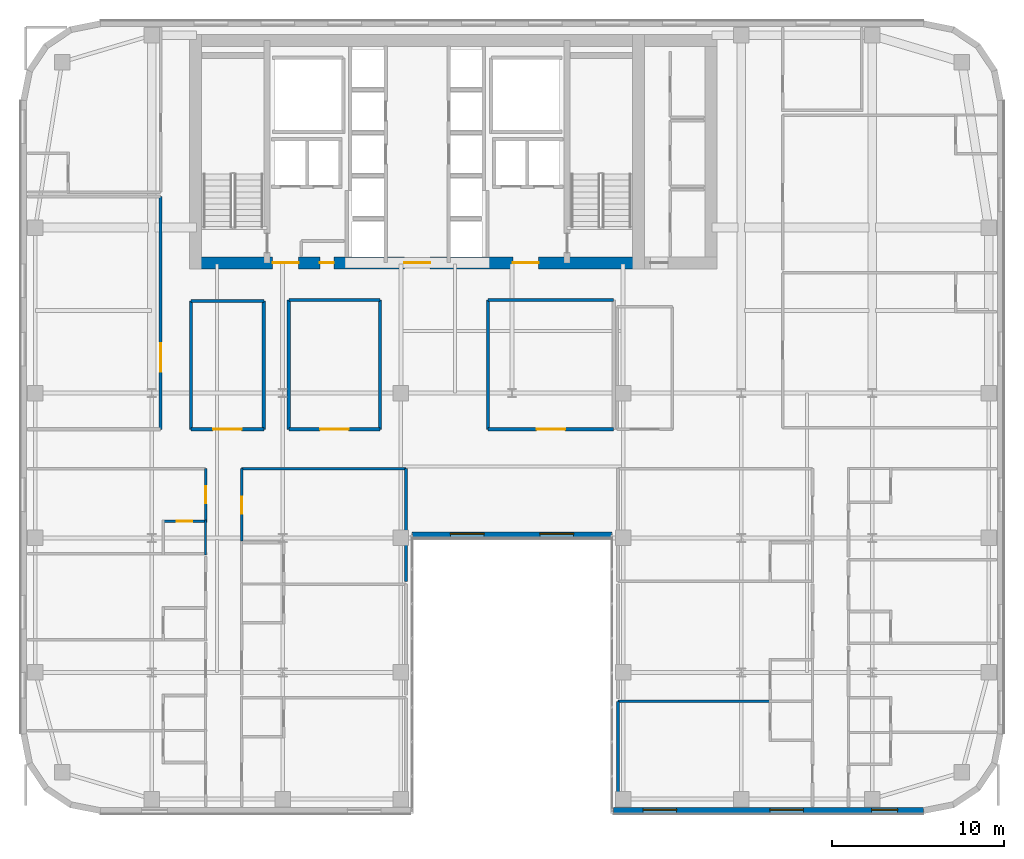
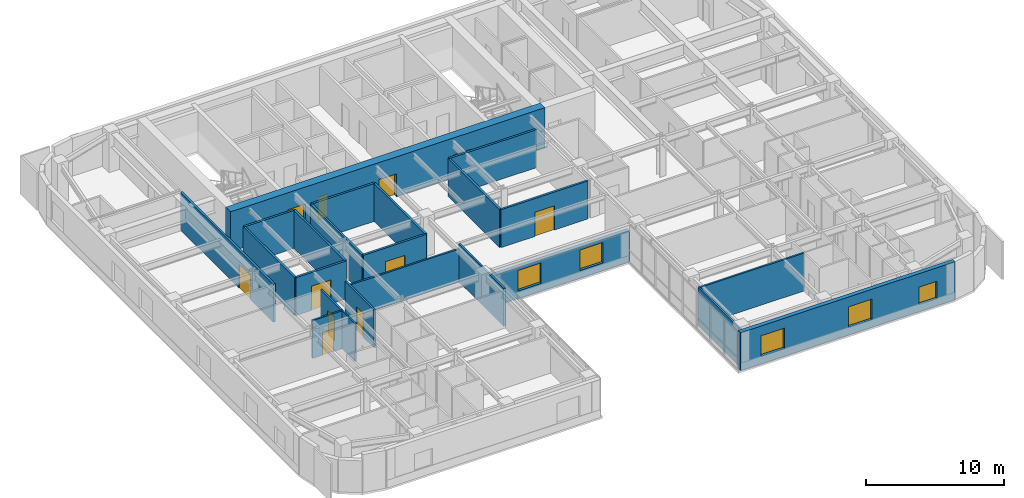
# One storey, part 15 of 25: 23 walls, 11 doors, 5 windows, 16 openings.
"""IFC4 building model written with IfcOpenShell, lengths in metres."""

from ifc_helpers import new_model, si_unit, direction, frame, frame_2d, origin, place, context, subcontext, project, spatial, rectangle, extrude, source, transform, mapped, material, layer, layer_set, type_object, type_shapes, element, fill, save


model = new_model("IFC4")

# Units and contexts
model_context = context("Model", 3, precision=1e-05, world=origin(), true_north=direction((0.0, 1.0)))
body_context = subcontext(model_context, "Body", "Model", "MODEL_VIEW")
ifc_project = project(units=[si_unit("LENGTHUNIT", "METRE"), si_unit("AREAUNIT", "SQUARE_METRE"), si_unit("VOLUMEUNIT", "CUBIC_METRE"), si_unit("PLANEANGLEUNIT", "RADIAN"), si_unit("MASSUNIT", "GRAM", prefix="KILO")], contexts=[model_context])

# Site, building, storey
site_placement = place(None, origin())
site = spatial("IfcSite", under=ifc_project, at=site_placement, CompositionType="ELEMENT")
building_placement = place(site_placement, origin())
building = spatial("IfcBuilding", under=site, at=building_placement, Name="Tolvann Quenvar Hotel", CompositionType="ELEMENT")
storey_placement = place(building_placement, frame((0.0, 0.0, 132.85009765625)))
storey = spatial("IfcBuildingStorey", under=building, at=storey_placement, Name="L34", CompositionType="ELEMENT", Elevation=132.85009765625)

# Wall, openings, doors
ifc_material_1 = material(Name="Concrete S65 (65 MPa)", Category="concrete")
ifc_layer_1 = layer(ifc_material_1, 0.699951171875)
ifc_layer_set_1 = layer_set([ifc_layer_1], Name="Concrete S65 (65 MPa)")
wall_type_1 = type_object("IfcWallType", Name="WALL_CORE_700", PredefinedType="SHEAR", material=ifc_layer_set_1)
wall_1_placement = place(storey_placement, frame((9.800048828125, 31.949951171875, 0.0), z_axis=(0.0, 0.0, 1.0), x_axis=(1.0, 0.0, 0.0)))
wall_1 = element("IfcWall", 1, at=wall_1_placement, inside=storey, type_object=wall_type_1, Name="Rear Core S Shear Wall (L34)", PredefinedType="SHEAR", context=body_context, shape_type="SweptSolid", body=[
    extrude(rectangle(XDim=26.39990234375, YDim=0.699951171875, at=frame_2d((13.199951171875, 0.0))), origin(), (0.0, 0.0, 1.0), 3.5498046875),
])
opening_1_placement = place(wall_1_placement, frame((6.320068359375, 0.0, 0.0), z_axis=(0.0, 0.0, 1.0), x_axis=(-1.0, 0.0, 0.0)))
opening_1 = element("IfcOpeningElement", 2, at=opening_1_placement, cuts=wall_1, Name="Opening FD-60D", PredefinedType="OPENING", context=body_context, shape_type="SweptSolid", body=[
    extrude(rectangle(XDim=1.5, YDim=2.0400390625, at=frame_2d((0.75, 1.02001953125))), frame((0.0, 0.35986328125, 0.0), z_axis=(0.0, -1.0, 0.0), x_axis=(1.0, 0.0, 0.0)), (0.0, 0.0, 1.0), 0.719970703125),
])
opening_2_placement = place(wall_1_placement, frame((13.949951171875, 0.0, 0.0), z_axis=(0.0, 0.0, 1.0), x_axis=(-1.0, 0.0, 0.0)))
opening_2 = element("IfcOpeningElement", 3, at=opening_2_placement, cuts=wall_1, Name="Opening FD-60D", PredefinedType="OPENING", context=body_context, shape_type="SweptSolid", body=[
    extrude(rectangle(XDim=1.5, YDim=2.0400390625, at=frame_2d((0.75, 1.02001953125))), frame((0.0, 0.35986328125, 0.0), z_axis=(0.0, -1.0, 0.0), x_axis=(1.0, 0.0, 0.0)), (0.0, 0.0, 1.0), 0.719970703125),
])
opening_3_placement = place(wall_1_placement, frame((20.25, 0.0, 0.0), z_axis=(0.0, 0.0, 1.0), x_axis=(-1.0, 0.0, 0.0)))
opening_3 = element("IfcOpeningElement", 4, at=opening_3_placement, cuts=wall_1, Name="Opening FD-60D", PredefinedType="OPENING", context=body_context, shape_type="SweptSolid", body=[
    extrude(rectangle(XDim=1.5, YDim=2.0400390625, at=frame_2d((0.75, 1.02001953125))), frame((0.0, 0.35986328125, 0.0), z_axis=(0.0, -1.0, 0.0), x_axis=(1.0, 0.0, 0.0)), (0.0, 0.0, 1.0), 0.719970703125),
])
opening_4_placement = place(wall_1_placement, frame((8.3701171875, 0.0, 0.0), z_axis=(0.0, 0.0, 1.0), x_axis=(-1.0, 0.0, 0.0)))
opening_4 = element("IfcOpeningElement", 5, at=opening_4_placement, cuts=wall_1, Name="Opening HD-02", PredefinedType="OPENING", context=body_context, shape_type="SweptSolid", body=[
    extrude(rectangle(XDim=0.820068359375, YDim=2.010009765625, at=frame_2d((0.41015625, 1.0048828125))), frame((0.0, 0.35986328125, 0.0), z_axis=(0.0, -1.0, 0.0), x_axis=(1.0, 0.0, 0.0)), (0.0, 0.0, 1.0), 0.719970703125),
])
ifc_material_2 = material(Name="Solid-core American oak acoustic fire door leaf in steel frame", Category="steel")
door_type_1 = type_object("IfcDoorType", Name="DOOR_FIRE_LOBBY_1500", OperationType="NOTDEFINED", PredefinedType="DOOR", material=ifc_material_2)
shared_shape_1 = source(origin(), body_context, "Body", "SweptSolid", [
    extrude(rectangle(XDim=1.5, YDim=2.0400390625, at=frame_2d((0.75, 1.02001953125))), frame((0.0, 0.02490234375, 0.0), z_axis=(0.0, -1.0, 0.0), x_axis=(1.0, 0.0, 0.0)), (0.0, 0.0, 1.0), 0.050048828125),
])
type_shapes(door_type_1, [shared_shape_1])
door_1_placement = place(opening_1_placement, origin())
door_1 = element("IfcDoor", 6, at=door_1_placement, inside=storey, type_object=door_type_1, Name="Core Lobby Fire Door FFW (L34)", OperationType="DOUBLE_DOOR_SINGLE_SWING", OverallHeight=2.0400390625, OverallWidth=1.5, PredefinedType="DOOR", context=body_context, shape_type="MappedRepresentation", body=[
    mapped(shared_shape_1, transform((0.0, 0.0, 0.0), x_axis=(1.0, 0.0, 0.0), y_axis=(0.0, 1.0, 0.0), z_axis=(0.0, 0.0, 1.0), scale=1.0)),
])
fill(opening_1, door_1)
door_2_placement = place(opening_2_placement, origin())
door_2 = element("IfcDoor", 7, at=door_2_placement, inside=storey, type_object=door_type_1, Name="Core Lobby Fire Door CLOB (L34)", OperationType="DOUBLE_DOOR_SINGLE_SWING", OverallHeight=2.0400390625, OverallWidth=1.5, PredefinedType="DOOR", context=body_context, shape_type="MappedRepresentation", body=[
    mapped(shared_shape_1, transform((0.0, 0.0, 0.0), x_axis=(1.0, 0.0, 0.0), y_axis=(0.0, 1.0, 0.0), z_axis=(0.0, 0.0, 1.0), scale=1.0)),
])
fill(opening_2, door_2)
door_3_placement = place(opening_3_placement, origin())
door_3 = element("IfcDoor", 8, at=door_3_placement, inside=storey, type_object=door_type_1, Name="Core Lobby Fire Door FFE (L34)", OperationType="DOUBLE_DOOR_SINGLE_SWING", OverallHeight=2.0400390625, OverallWidth=1.5, PredefinedType="DOOR", context=body_context, shape_type="MappedRepresentation", body=[
    mapped(shared_shape_1, transform((0.0, 0.0, 0.0), x_axis=(1.0, 0.0, 0.0), y_axis=(0.0, 1.0, 0.0), z_axis=(0.0, 0.0, 1.0), scale=1.0)),
])
fill(opening_3, door_3)
ifc_material_3 = material(Name="Pressed galvanised steel fire-rated door set", Category="steel")
door_type_2 = type_object("IfcDoorType", Name="DOOR_STORE_820", OperationType="NOTDEFINED", PredefinedType="DOOR", material=ifc_material_3)
shared_shape_2 = source(origin(), body_context, "Body", "SweptSolid", [
    extrude(rectangle(XDim=0.820068359375, YDim=2.010009765625, at=frame_2d((0.41015625, 1.0048828125))), frame((0.0, 0.02490234375, 0.0), z_axis=(0.0, -1.0, 0.0), x_axis=(1.0, 0.0, 0.0)), (0.0, 0.0, 1.0), 0.050048828125),
])
type_shapes(door_type_2, [shared_shape_2])
door_4_placement = place(opening_4_placement, origin())
door_4 = element("IfcDoor", 9, at=door_4_placement, inside=storey, type_object=door_type_2, Name="Core Linen Store Fire Door (L34)", OperationType="SINGLE_SWING_LEFT", OverallHeight=2.010009765625, OverallWidth=0.820068359375, PredefinedType="DOOR", context=body_context, shape_type="MappedRepresentation", body=[
    mapped(shared_shape_2, transform((0.0, 0.0, 0.0), x_axis=(1.0, 0.0, 0.0), y_axis=(0.0, 1.0, 0.0), z_axis=(0.0, 0.0, 1.0), scale=1.0)),
])
fill(opening_4, door_4)

# Wall, openings, windows
ifc_material_4 = material(Name="Kiln-fired red and buff architectural clay brickwork and terracotta masonry", Category="masonry")
ifc_layer_2 = layer(ifc_material_4, 0.35009765625)
ifc_layer_set_2 = layer_set([ifc_layer_2], Name="Kiln-fired red and buff architectural clay brickwork and terracotta masonry")
wall_type_2 = type_object("IfcWallType", Name="WALL_EXT_BRICK_350", PredefinedType="SOLIDWALL", material=ifc_layer_set_2)
wall_2_placement = place(storey_placement, frame((22.7099609375, 16.175048828125, 0.0), z_axis=(0.0, 0.0, 1.0), x_axis=(1.0, 0.0, 0.0)))
wall_2 = element("IfcWall", 10, at=wall_2_placement, inside=storey, type_object=wall_type_2, Name="Exterior Chicago Brick Wall L34-E06", PredefinedType="SOLIDWALL", context=body_context, shape_type="SweptSolid", body=[
    extrude(rectangle(XDim=11.580078125, YDim=0.35009765625, at=frame_2d((5.7900390625, 0.0))), origin(), (0.0, 0.0, 1.0), 2.747802734375),
])
opening_5_placement = place(wall_2_placement, frame((2.219970703125, 0.0, 0.679931640625)))
opening_5 = element("IfcOpeningElement", 11, at=opening_5_placement, cuts=wall_2, Name="Opening W-10", PredefinedType="OPENING", context=body_context, shape_type="SweptSolid", body=[
    extrude(rectangle(XDim=1.949951171875, YDim=1.820068359375, at=frame_2d((0.97509765625, 0.91015625))), frame((0.0, 0.18505859375, 0.0), z_axis=(0.0, -1.0, 0.0), x_axis=(1.0, 0.0, 0.0)), (0.0, 0.0, 1.0), 0.3701171875),
])
opening_6_placement = place(wall_2_placement, frame((7.409912109375, 0.0, 0.679931640625)))
opening_6 = element("IfcOpeningElement", 12, at=opening_6_placement, cuts=wall_2, Name="Opening W-10", PredefinedType="OPENING", context=body_context, shape_type="SweptSolid", body=[
    extrude(rectangle(XDim=1.949951171875, YDim=1.820068359375, at=frame_2d((0.97509765625, 0.91015625))), frame((0.0, 0.18505859375, 0.0), z_axis=(0.0, -1.0, 0.0), x_axis=(1.0, 0.0, 0.0)), (0.0, 0.0, 1.0), 0.3701171875),
])
ifc_material_5 = material(Name="Thermally broken bronze-anodised aluminium frame with double low-E glazing", Category="aluminium")
window_type_1 = type_object("IfcWindowType", Name="WIN_CLB_1950x1850", PartitioningType="DOUBLE_PANEL_VERTICAL", PredefinedType="WINDOW", material=ifc_material_5)
shared_shape_3 = source(origin(), body_context, "Body", "SweptSolid", [
    extrude(rectangle(XDim=1.949951171875, YDim=1.820068359375, at=frame_2d((0.97509765625, 0.91015625))), frame((0.0, 0.090087890625, 0.0), z_axis=(0.0, -1.0, 0.0), x_axis=(1.0, 0.0, 0.0)), (0.0, 0.0, 1.0), 0.06005859375),
])
type_shapes(window_type_1, [shared_shape_3])
window_1_placement = place(opening_5_placement, origin())
window_1 = element("IfcWindow", 13, at=window_1_placement, inside=storey, type_object=window_type_1, Name="Chicago Window W-10 (EW-L34-E06-W01)", OverallHeight=1.820068359375, OverallWidth=1.949951171875, PartitioningType="DOUBLE_PANEL_VERTICAL", PredefinedType="WINDOW", context=body_context, shape_type="MappedRepresentation", body=[
    mapped(shared_shape_3, transform((0.0, 0.0, 0.0), x_axis=(1.0, 0.0, 0.0), y_axis=(0.0, 1.0, 0.0), z_axis=(0.0, 0.0, 1.0), scale=1.0)),
])
fill(opening_5, window_1)
window_2_placement = place(opening_6_placement, origin())
window_2 = element("IfcWindow", 14, at=window_2_placement, inside=storey, type_object=window_type_1, Name="Chicago Window W-10 (EW-L34-E06-W02)", OverallHeight=1.820068359375, OverallWidth=1.949951171875, PartitioningType="DOUBLE_PANEL_VERTICAL", PredefinedType="WINDOW", context=body_context, shape_type="MappedRepresentation", body=[
    mapped(shared_shape_3, transform((0.0, 0.0, 0.0), x_axis=(1.0, 0.0, 0.0), y_axis=(0.0, 1.0, 0.0), z_axis=(0.0, 0.0, 1.0), scale=1.0)),
])
fill(opening_6, window_2)

wall_3_placement = place(storey_placement, frame((34.375, 0.175048828125, 0.0), z_axis=(0.0, 0.0, 1.0), x_axis=(1.0, 0.0, 0.0)))
wall_3 = element("IfcWall", 15, at=wall_3_placement, inside=storey, type_object=wall_type_2, Name="Exterior Chicago Brick Wall L34-E08", PredefinedType="SOLIDWALL", context=body_context, shape_type="SweptSolid", body=[
    extrude(rectangle(XDim=18.0078125, YDim=0.35009765625, at=frame_2d((9.00390625, 0.0))), origin(), (0.0, 0.0, 1.0), 3.369873046875),
])
opening_7_placement = place(wall_3_placement, frame((1.72607421875, 0.0, 0.679931640625)))
opening_7 = element("IfcOpeningElement", 16, at=opening_7_placement, cuts=wall_3, Name="Opening W-10", PredefinedType="OPENING", context=body_context, shape_type="SweptSolid", body=[
    extrude(rectangle(XDim=1.949951171875, YDim=1.820068359375, at=frame_2d((0.97509765625, 0.91015625))), frame((0.0, 0.18505859375, 0.0), z_axis=(0.0, -1.0, 0.0), x_axis=(1.0, 0.0, 0.0)), (0.0, 0.0, 1.0), 0.3701171875),
])
opening_8_placement = place(wall_3_placement, frame((9.080078125, 0.0, 0.679931640625)))
opening_8 = element("IfcOpeningElement", 17, at=opening_8_placement, cuts=wall_3, Name="Opening W-10", PredefinedType="OPENING", context=body_context, shape_type="SweptSolid", body=[
    extrude(rectangle(XDim=1.949951171875, YDim=1.820068359375, at=frame_2d((0.97509765625, 0.91015625))), frame((0.0, 0.18505859375, 0.0), z_axis=(0.0, -1.0, 0.0), x_axis=(1.0, 0.0, 0.0)), (0.0, 0.0, 1.0), 0.3701171875),
])
opening_9_placement = place(wall_3_placement, frame((14.990966796875, 0.0, 0.6201171875)))
opening_9 = element("IfcOpeningElement", 18, at=opening_9_placement, cuts=wall_3, Name="Opening W-08", PredefinedType="OPENING", context=body_context, shape_type="SweptSolid", body=[
    extrude(rectangle(XDim=1.5, YDim=1.550048828125, at=frame_2d((0.75, 0.77490234375))), frame((0.0, 0.18505859375, 0.0), z_axis=(0.0, -1.0, 0.0), x_axis=(1.0, 0.0, 0.0)), (0.0, 0.0, 1.0), 0.3701171875),
])
window_type_2 = type_object("IfcWindowType", Name="WIN_COR_1500x2050", PartitioningType="SINGLE_PANEL", PredefinedType="WINDOW", material=ifc_material_5)
shared_shape_4 = source(origin(), body_context, "Body", "SweptSolid", [
    extrude(rectangle(XDim=1.5, YDim=1.550048828125, at=frame_2d((0.75, 0.77490234375))), frame((0.0, 0.090087890625, 0.0), z_axis=(0.0, -1.0, 0.0), x_axis=(1.0, 0.0, 0.0)), (0.0, 0.0, 1.0), 0.06005859375),
])
type_shapes(window_type_2, [shared_shape_4])
window_3_placement = place(opening_9_placement, origin())
window_3 = element("IfcWindow", 19, at=window_3_placement, inside=storey, type_object=window_type_2, Name="Chicago Window W-08 (EW-L34-E08-WD03)", OverallHeight=1.550048828125, OverallWidth=1.5, PartitioningType="SINGLE_PANEL", PredefinedType="WINDOW", context=body_context, shape_type="MappedRepresentation", body=[
    mapped(shared_shape_4, transform((0.0, 0.0, 0.0), x_axis=(1.0, 0.0, 0.0), y_axis=(0.0, 1.0, 0.0), z_axis=(0.0, 0.0, 1.0), scale=1.0)),
])
fill(opening_9, window_3)
window_4_placement = place(opening_7_placement, origin())
window_4 = element("IfcWindow", 20, at=window_4_placement, inside=storey, type_object=window_type_1, Name="Chicago Window W-10 (EW-L34-E08-W01)", OverallHeight=1.820068359375, OverallWidth=1.949951171875, PartitioningType="DOUBLE_PANEL_VERTICAL", PredefinedType="WINDOW", context=body_context, shape_type="MappedRepresentation", body=[
    mapped(shared_shape_3, transform((0.0, 0.0, 0.0), x_axis=(1.0, 0.0, 0.0), y_axis=(0.0, 1.0, 0.0), z_axis=(0.0, 0.0, 1.0), scale=1.0)),
])
fill(opening_7, window_4)
window_5_placement = place(opening_8_placement, origin())
window_5 = element("IfcWindow", 21, at=window_5_placement, inside=storey, type_object=window_type_1, Name="Chicago Window W-10 (EW-L34-E08-W02)", OverallHeight=1.820068359375, OverallWidth=1.949951171875, PartitioningType="DOUBLE_PANEL_VERTICAL", PredefinedType="WINDOW", context=body_context, shape_type="MappedRepresentation", body=[
    mapped(shared_shape_3, transform((0.0, 0.0, 0.0), x_axis=(1.0, 0.0, 0.0), y_axis=(0.0, 1.0, 0.0), z_axis=(0.0, 0.0, 1.0), scale=1.0)),
])
fill(opening_8, window_5)

# Wall, opening, door
ifc_material_6 = material(Name="Acoustic twin-stud fire-rated gypsum plasterboard partition")
ifc_layer_3 = layer(ifc_material_6, 0.179931640625)
ifc_layer_set_3 = layer_set([ifc_layer_3], Name="Acoustic twin-stud fire-rated gypsum plasterboard partition")
wall_type_3 = type_object("IfcWallType", Name="WALL_PART_ACOUSTIC_180", PredefinedType="PARTITIONING", material=ifc_layer_set_3)
wall_4_placement = place(storey_placement, frame((8.1201171875, 22.300048828125, 0.0), z_axis=(0.0, 0.0, 1.0), x_axis=(0.0, 1.0, 0.0)))
wall_4 = element("IfcWall", 22, at=wall_4_placement, inside=storey, type_object=wall_type_3, Name="Interior Partition PT-SPC-L34-SAL-ENT", PredefinedType="PARTITIONING", context=body_context, shape_type="SweptSolid", body=[
    extrude(rectangle(XDim=13.5, YDim=0.179931640625, at=frame_2d((6.75, 0.0))), origin(), (0.0, 0.0, 1.0), 3.369873046875),
])
opening_10_placement = place(wall_4_placement, frame((3.35009765625, 0.0, 0.0)))
opening_10 = element("IfcOpeningElement", 23, at=opening_10_placement, cuts=wall_4, Name="Opening AD-01", PredefinedType="OPENING", context=body_context, shape_type="SweptSolid", body=[
    extrude(rectangle(XDim=1.64990234375, YDim=2.14990234375, at=frame_2d((0.824951171875, 1.074951171875))), frame((0.0, 0.10009765625, 0.0), z_axis=(0.0, -1.0, 0.0), x_axis=(1.0, 0.0, 0.0)), (0.0, 0.0, 1.0), 0.199951171875),
])
door_type_3 = type_object("IfcDoorType", Name="DOOR_SALON_1650", OperationType="NOTDEFINED", PredefinedType="DOOR", material=ifc_material_2)
shared_shape_5 = source(origin(), body_context, "Body", "SweptSolid", [
    extrude(rectangle(XDim=1.64990234375, YDim=2.14990234375, at=frame_2d((0.824951171875, 1.074951171875))), frame((0.0, 0.02490234375, 0.0), z_axis=(0.0, -1.0, 0.0), x_axis=(1.0, 0.0, 0.0)), (0.0, 0.0, 1.0), 0.050048828125),
])
type_shapes(door_type_3, [shared_shape_5])
door_5_placement = place(opening_10_placement, origin())
door_5 = element("IfcDoor", 24, at=door_5_placement, inside=storey, type_object=door_type_3, Name="Interior Door DOOR-SPC-L34-SAL", OperationType="DOUBLE_DOOR_SINGLE_SWING", OverallHeight=2.14990234375, OverallWidth=1.64990234375, PredefinedType="DOOR", context=body_context, shape_type="MappedRepresentation", body=[
    mapped(shared_shape_5, transform((0.0, 0.0, 0.0), x_axis=(1.0, 0.0, 0.0), y_axis=(0.0, 1.0, 0.0), z_axis=(0.0, 0.0, 1.0), scale=1.0)),
])
fill(opening_10, door_5)

wall_5_placement = place(storey_placement, frame((9.8798828125, 22.300048828125, 0.0), z_axis=(0.0, 0.0, 1.0), x_axis=(1.0, 0.0, 0.0)))
wall_5 = element("IfcWall", 25, at=wall_5_placement, inside=storey, type_object=wall_type_3, Name="Interior Partition PT-SPC-L34-MSP-W-S", PredefinedType="PARTITIONING", context=body_context, shape_type="SweptSolid", body=[
    extrude(rectangle(XDim=4.22021484375, YDim=0.179931640625, at=frame_2d((2.110107421875, 0.0))), origin(), (0.0, 0.0, 1.0), 3.369873046875),
])
opening_11_placement = place(wall_5_placement, frame((1.284912109375, 0.0, 0.0)))
opening_11 = element("IfcOpeningElement", 26, at=opening_11_placement, cuts=wall_5, Name="Opening AD-01", PredefinedType="OPENING", context=body_context, shape_type="SweptSolid", body=[
    extrude(rectangle(XDim=1.64990234375, YDim=2.14990234375, at=frame_2d((0.824951171875, 1.074951171875))), frame((0.0, 0.10009765625, 0.0), z_axis=(0.0, -1.0, 0.0), x_axis=(1.0, 0.0, 0.0)), (0.0, 0.0, 1.0), 0.199951171875),
])
door_6_placement = place(opening_11_placement, origin())
door_6 = element("IfcDoor", 27, at=door_6_placement, inside=storey, type_object=door_type_3, Name="Interior Door DOOR-SPC-L34-MSP-W", OperationType="DOUBLE_DOOR_SINGLE_SWING", OverallHeight=2.14990234375, OverallWidth=1.64990234375, PredefinedType="DOOR", context=body_context, shape_type="MappedRepresentation", body=[
    mapped(shared_shape_5, transform((0.0, 0.0, 0.0), x_axis=(1.0, 0.0, 0.0), y_axis=(0.0, 1.0, 0.0), z_axis=(0.0, 0.0, 1.0), scale=1.0)),
])
fill(opening_11, door_6)

# Walls
wall_6_placement = place(storey_placement, frame((9.8798828125, 29.75, 0.0), z_axis=(0.0, 0.0, 1.0), x_axis=(1.0, 0.0, 0.0)))
element("IfcWall", 28, at=wall_6_placement, inside=storey, type_object=wall_type_3, Name="Interior Partition PT-SPC-L34-MSP-W-N", PredefinedType="PARTITIONING", context=body_context, shape_type="SweptSolid", body=[
    extrude(rectangle(XDim=4.22021484375, YDim=0.179931640625, at=frame_2d((2.110107421875, 0.0))), origin(), (0.0, 0.0, 1.0), 3.369873046875),
])
for number, where, z_axis, x_axis, name in (
    (29, (9.8798828125, 22.300048828125, 0.0), (0.0, 0.0, 1.0), (0.0, 1.0, 0.0), "Interior Partition PT-SPC-L34-MSP-W-W"),
    (30, (14.10009765625, 22.300048828125, 0.0), (0.0, 0.0, 1.0), (0.0, 1.0, 0.0), "Interior Partition PT-SPC-L34-MSP-W-E"),
):
    element("IfcWall", number, at=place(storey_placement, frame(where, z_axis=z_axis, x_axis=x_axis)), inside=storey, type_object=wall_type_3, Name=name, PredefinedType="PARTITIONING", context=body_context, shape_type="SweptSolid", body=[
        extrude(rectangle(XDim=7.449951171875, YDim=0.179931640625, at=frame_2d((3.72509765625, 0.0))), origin(), (0.0, 0.0, 1.0), 3.369873046875),
    ])

# Wall, opening, door
wall_7_placement = place(storey_placement, frame((27.10009765625, 22.300048828125, 0.0), z_axis=(0.0, 0.0, 1.0), x_axis=(1.0, 0.0, 0.0)))
wall_7 = element("IfcWall", 31, at=wall_7_placement, inside=storey, type_object=wall_type_3, Name="Interior Partition PT-SPC-L34-MSP-C-S", PredefinedType="PARTITIONING", context=body_context, shape_type="SweptSolid", body=[
    extrude(rectangle(XDim=7.2998046875, YDim=0.179931640625, at=frame_2d((3.64990234375, 0.0))), origin(), (0.0, 0.0, 1.0), 3.369873046875),
])
opening_12_placement = place(wall_7_placement, frame((2.824951171875, 0.0, 0.0)))
opening_12 = element("IfcOpeningElement", 32, at=opening_12_placement, cuts=wall_7, Name="Opening AD-01", PredefinedType="OPENING", context=body_context, shape_type="SweptSolid", body=[
    extrude(rectangle(XDim=1.64990234375, YDim=2.14990234375, at=frame_2d((0.824951171875, 1.074951171875))), frame((0.0, 0.10009765625, 0.0), z_axis=(0.0, -1.0, 0.0), x_axis=(1.0, 0.0, 0.0)), (0.0, 0.0, 1.0), 0.199951171875),
])
door_7_placement = place(opening_12_placement, origin())
door_7 = element("IfcDoor", 33, at=door_7_placement, inside=storey, type_object=door_type_3, Name="Interior Door DOOR-SPC-L34-MSP-C", OperationType="DOUBLE_DOOR_SINGLE_SWING", OverallHeight=2.14990234375, OverallWidth=1.64990234375, PredefinedType="DOOR", context=body_context, shape_type="MappedRepresentation", body=[
    mapped(shared_shape_5, transform((0.0, 0.0, 0.0), x_axis=(1.0, 0.0, 0.0), y_axis=(0.0, 1.0, 0.0), z_axis=(0.0, 0.0, 1.0), scale=1.0)),
])
fill(opening_12, door_7)

# Walls
wall_8_placement = place(storey_placement, frame((27.10009765625, 29.800048828125, 0.0), z_axis=(0.0, 0.0, 1.0), x_axis=(1.0, 0.0, 0.0)))
element("IfcWall", 34, at=wall_8_placement, inside=storey, type_object=wall_type_3, Name="Interior Partition PT-SPC-L34-MSP-C-N", PredefinedType="PARTITIONING", context=body_context, shape_type="SweptSolid", body=[
    extrude(rectangle(XDim=7.2998046875, YDim=0.179931640625, at=frame_2d((3.64990234375, 0.0))), origin(), (0.0, 0.0, 1.0), 3.369873046875),
])
wall_9_placement = place(storey_placement, frame((27.10009765625, 22.300048828125, 0.0), z_axis=(0.0, 0.0, 1.0), x_axis=(0.0, 1.0, 0.0)))
element("IfcWall", 35, at=wall_9_placement, inside=storey, type_object=wall_type_3, Name="Interior Partition PT-SPC-L34-MSP-C-W", PredefinedType="PARTITIONING", context=body_context, shape_type="SweptSolid", body=[
    extrude(rectangle(XDim=7.5, YDim=0.179931640625, at=frame_2d((3.75, 0.0))), origin(), (0.0, 0.0, 1.0), 3.369873046875),
])

# Wall, opening, door
wall_10_placement = place(storey_placement, frame((15.550048828125, 22.300048828125, 0.0), z_axis=(0.0, 0.0, 1.0), x_axis=(1.0, 0.0, 0.0)))
wall_10 = element("IfcWall", 36, at=wall_10_placement, inside=storey, type_object=wall_type_3, Name="Interior Partition PT-SPC-L34-MSP-N-S", PredefinedType="PARTITIONING", context=body_context, shape_type="SweptSolid", body=[
    extrude(rectangle(XDim=5.300048828125, YDim=0.179931640625, at=frame_2d((2.64990234375, 0.0))), origin(), (0.0, 0.0, 1.0), 3.369873046875),
])
opening_13_placement = place(wall_10_placement, frame((1.824951171875, 0.0, 0.0)))
opening_13 = element("IfcOpeningElement", 37, at=opening_13_placement, cuts=wall_10, Name="Opening AD-01", PredefinedType="OPENING", context=body_context, shape_type="SweptSolid", body=[
    extrude(rectangle(XDim=1.64990234375, YDim=2.14990234375, at=frame_2d((0.824951171875, 1.074951171875))), frame((0.0, 0.10009765625, 0.0), z_axis=(0.0, -1.0, 0.0), x_axis=(1.0, 0.0, 0.0)), (0.0, 0.0, 1.0), 0.199951171875),
])
door_8_placement = place(opening_13_placement, origin())
door_8 = element("IfcDoor", 38, at=door_8_placement, inside=storey, type_object=door_type_3, Name="Interior Door DOOR-SPC-L34-MSP-N", OperationType="DOUBLE_DOOR_SINGLE_SWING", OverallHeight=2.14990234375, OverallWidth=1.64990234375, PredefinedType="DOOR", context=body_context, shape_type="MappedRepresentation", body=[
    mapped(shared_shape_5, transform((0.0, 0.0, 0.0), x_axis=(1.0, 0.0, 0.0), y_axis=(0.0, 1.0, 0.0), z_axis=(0.0, 0.0, 1.0), scale=1.0)),
])
fill(opening_13, door_8)

# Walls
wall_11_placement = place(storey_placement, frame((15.550048828125, 29.800048828125, 0.0), z_axis=(0.0, 0.0, 1.0), x_axis=(1.0, 0.0, 0.0)))
element("IfcWall", 39, at=wall_11_placement, inside=storey, type_object=wall_type_3, Name="Interior Partition PT-SPC-L34-MSP-N-N", PredefinedType="PARTITIONING", context=body_context, shape_type="SweptSolid", body=[
    extrude(rectangle(XDim=5.300048828125, YDim=0.179931640625, at=frame_2d((2.64990234375, 0.0))), origin(), (0.0, 0.0, 1.0), 3.369873046875),
])
for number, where, z_axis, x_axis, name in (
    (40, (15.550048828125, 22.300048828125, 0.0), (0.0, 0.0, 1.0), (0.0, 1.0, 0.0), "Interior Partition PT-SPC-L34-MSP-N-W"),
    (41, (20.85009765625, 22.300048828125, 0.0), (0.0, 0.0, 1.0), (0.0, 1.0, 0.0), "Interior Partition PT-SPC-L34-MSP-N-E"),
):
    element("IfcWall", number, at=place(storey_placement, frame(where, z_axis=z_axis, x_axis=x_axis)), inside=storey, type_object=wall_type_3, Name=name, PredefinedType="PARTITIONING", context=body_context, shape_type="SweptSolid", body=[
        extrude(rectangle(XDim=7.5, YDim=0.179931640625, at=frame_2d((3.75, 0.0))), origin(), (0.0, 0.0, 1.0), 3.369873046875),
    ])
ifc_material_7 = material(Name="Moisture-resistant acoustic plumbing wall assembly")
ifc_layer_4 = layer(ifc_material_7, 0.1201171875)
ifc_layer_set_4 = layer_set([ifc_layer_4], Name="Moisture-resistant acoustic plumbing wall assembly")
wall_type_4 = type_object("IfcWallType", Name="WALL_PART_BATH_120", PredefinedType="PLUMBINGWALL", material=ifc_layer_set_4)
wall_12_placement = place(storey_placement, frame((10.72998046875, 15.010009765625, 0.0), z_axis=(0.0, 0.0, 1.0), x_axis=(0.0, 1.0, 0.0)))
element("IfcWall", 42, at=wall_12_placement, inside=storey, type_object=wall_type_4, Name="Non-Rated Plumbing Partition PT-SPC-L34-ENS-WO04-E", PredefinedType="PLUMBINGWALL", context=body_context, shape_type="SweptSolid", body=[
    extrude(rectangle(XDim=2.01708984375, YDim=0.1201171875, at=frame_2d((1.008544921875, 0.0))), origin(), (0.0, 0.0, 1.0), 3.369873046875),
])

# Wall, opening, door
ifc_layer_5 = layer(ifc_material_6, 0.14990234375)
ifc_layer_set_5 = layer_set([ifc_layer_5], Name="Acoustic twin-stud fire-rated gypsum plasterboard partition")
wall_type_5 = type_object("IfcWallType", Name="WALL_PART_SUITE_150", PredefinedType="PARTITIONING", material=ifc_layer_set_5)
wall_13_placement = place(storey_placement, frame((8.2099609375, 16.95703125, 0.0), z_axis=(0.0, 0.0, 1.0), x_axis=(1.0, 0.0, 0.0)))
wall_13 = element("IfcWall", 43, at=wall_13_placement, inside=storey, type_object=wall_type_5, Name="Interior Partition PT-SPC-L34-ENS-WO04-N", PredefinedType="PARTITIONING", context=body_context, shape_type="SweptSolid", body=[
    extrude(rectangle(XDim=2.590087890625, YDim=0.14990234375, at=frame_2d((1.294921875, 0.0))), origin(), (0.0, 0.0, 1.0), 3.369873046875),
])
opening_14_placement = place(wall_13_placement, frame((0.8349609375, 0.0, 0.0)))
opening_14 = element("IfcOpeningElement", 44, at=opening_14_placement, cuts=wall_13, Name="Opening WD-01", PredefinedType="OPENING", context=body_context, shape_type="SweptSolid", body=[
    extrude(rectangle(XDim=0.919921875, YDim=2.010009765625, at=frame_2d((0.4599609375, 1.0048828125))), frame((0.0, 0.0849609375, 0.0), z_axis=(0.0, -1.0, 0.0), x_axis=(1.0, 0.0, 0.0)), (0.0, 0.0, 1.0), 0.169921875),
])
door_type_4 = type_object("IfcDoorType", Name="DOOR_WC_920", OperationType="NOTDEFINED", PredefinedType="DOOR", material=ifc_material_2)
shared_shape_6 = source(origin(), body_context, "Body", "SweptSolid", [
    extrude(rectangle(XDim=0.919921875, YDim=2.010009765625, at=frame_2d((0.4599609375, 1.0048828125))), frame((0.0, 0.02490234375, 0.0), z_axis=(0.0, -1.0, 0.0), x_axis=(1.0, 0.0, 0.0)), (0.0, 0.0, 1.0), 0.050048828125),
])
type_shapes(door_type_4, [shared_shape_6])
door_9_placement = place(opening_14_placement, origin())
door_9 = element("IfcDoor", 45, at=door_9_placement, inside=storey, type_object=door_type_4, Name="Interior Door DOOR-SPC-L34-ENS-WO04", OperationType="SINGLE_SWING_RIGHT", OverallHeight=2.010009765625, OverallWidth=0.919921875, PredefinedType="DOOR", context=body_context, shape_type="MappedRepresentation", body=[
    mapped(shared_shape_6, transform((0.0, 0.0, 0.0), x_axis=(1.0, 0.0, 0.0), y_axis=(0.0, 1.0, 0.0), z_axis=(0.0, 0.0, 1.0), scale=1.0)),
])
fill(opening_14, door_9)

wall_14_placement = place(storey_placement, frame((10.72998046875, 17.037109375, 0.0), z_axis=(0.0, 0.0, 1.0), x_axis=(0.0, 1.0, 0.0)))
wall_14 = element("IfcWall", 46, at=wall_14_placement, inside=storey, type_object=wall_type_5, Name="Interior Partition PT-SPC-L34-RM-WO04-ENT", PredefinedType="PARTITIONING", context=body_context, shape_type="SweptSolid", body=[
    extrude(rectangle(XDim=2.98291015625, YDim=0.14990234375, at=frame_2d((1.491455078125, 0.0))), origin(), (0.0, 0.0, 1.0), 3.369873046875),
])
opening_15_placement = place(wall_14_placement, frame((0.9814453125, 0.0, 0.0)))
opening_15 = element("IfcOpeningElement", 47, at=opening_15_placement, cuts=wall_14, Name="Opening SD-01", PredefinedType="OPENING", context=body_context, shape_type="SweptSolid", body=[
    extrude(rectangle(XDim=0.97998046875, YDim=2.1201171875, at=frame_2d((0.489990234375, 1.06005859375))), frame((0.0, 0.0849609375, 0.0), z_axis=(0.0, -1.0, 0.0), x_axis=(1.0, 0.0, 0.0)), (0.0, 0.0, 1.0), 0.169921875),
])
door_type_5 = type_object("IfcDoorType", Name="DOOR_SUITE_980", OperationType="NOTDEFINED", PredefinedType="DOOR", material=ifc_material_2)
shared_shape_7 = source(origin(), body_context, "Body", "SweptSolid", [
    extrude(rectangle(XDim=0.97998046875, YDim=2.1201171875, at=frame_2d((0.489990234375, 1.06005859375))), frame((0.0, 0.02490234375, 0.0), z_axis=(0.0, -1.0, 0.0), x_axis=(1.0, 0.0, 0.0)), (0.0, 0.0, 1.0), 0.050048828125),
])
type_shapes(door_type_5, [shared_shape_7])
door_10_placement = place(opening_15_placement, origin())
door_10 = element("IfcDoor", 48, at=door_10_placement, inside=storey, type_object=door_type_5, Name="Interior Door DOOR-SPC-L34-RM-WO04", OperationType="SINGLE_SWING_RIGHT", OverallHeight=2.1201171875, OverallWidth=0.97998046875, PredefinedType="DOOR", context=body_context, shape_type="MappedRepresentation", body=[
    mapped(shared_shape_7, transform((0.0, 0.0, 0.0), x_axis=(1.0, 0.0, 0.0), y_axis=(0.0, 1.0, 0.0), z_axis=(0.0, 0.0, 1.0), scale=1.0)),
])
fill(opening_15, door_10)

wall_15_placement = place(storey_placement, frame((12.820068359375, 15.81005859375, 0.0), z_axis=(0.0, 0.0, 1.0), x_axis=(0.0, 1.0, 0.0)))
wall_15 = element("IfcWall", 49, at=wall_15_placement, inside=storey, type_object=wall_type_5, Name="Interior Partition PT-SPC-L34-RM-WI03-ENT", PredefinedType="PARTITIONING", context=body_context, shape_type="SweptSolid", body=[
    extrude(rectangle(XDim=4.2099609375, YDim=0.14990234375, at=frame_2d((2.10498046875, 0.0))), origin(), (0.0, 0.0, 1.0), 3.369873046875),
])
opening_16_placement = place(wall_15_placement, frame((1.594970703125, 0.0, 0.0)))
opening_16 = element("IfcOpeningElement", 50, at=opening_16_placement, cuts=wall_15, Name="Opening SD-01", PredefinedType="OPENING", context=body_context, shape_type="SweptSolid", body=[
    extrude(rectangle(XDim=0.97998046875, YDim=2.1201171875, at=frame_2d((0.489990234375, 1.06005859375))), frame((0.0, 0.0849609375, 0.0), z_axis=(0.0, -1.0, 0.0), x_axis=(1.0, 0.0, 0.0)), (0.0, 0.0, 1.0), 0.169921875),
])
door_11_placement = place(opening_16_placement, origin())
door_11 = element("IfcDoor", 51, at=door_11_placement, inside=storey, type_object=door_type_5, Name="Interior Door DOOR-SPC-L34-RM-WI03", OperationType="SINGLE_SWING_LEFT", OverallHeight=2.1201171875, OverallWidth=0.97998046875, PredefinedType="DOOR", context=body_context, shape_type="MappedRepresentation", body=[
    mapped(shared_shape_7, transform((0.0, 0.0, 0.0), x_axis=(1.0, 0.0, 0.0), y_axis=(0.0, 1.0, 0.0), z_axis=(0.0, 0.0, 1.0), scale=1.0)),
])
fill(opening_16, door_11)

# Walls
wall_16_placement = place(storey_placement, frame((22.35009765625, 13.47998046875, 0.0), z_axis=(0.0, 0.0, 1.0), x_axis=(0.0, 1.0, 0.0)))
element("IfcWall", 52, at=wall_16_placement, inside=storey, type_object=wall_type_5, Name="Interior Partition PT-SPC-L34-RM-WI03-E4", PredefinedType="PARTITIONING", context=body_context, shape_type="SweptSolid", body=[
    extrude(rectangle(XDim=6.5400390625, YDim=0.14990234375, at=frame_2d((3.27001953125, 0.0))), origin(), (0.0, 0.0, 1.0), 3.369873046875),
])
wall_17_placement = place(storey_placement, frame((12.820068359375, 20.02001953125, 0.0), z_axis=(0.0, 0.0, 1.0), x_axis=(1.0, 0.0, 0.0)))
element("IfcWall", 53, at=wall_17_placement, inside=storey, type_object=wall_type_5, Name="Interior Partition PT-SPC-L34-RM-WI03-E5", PredefinedType="PARTITIONING", context=body_context, shape_type="SweptSolid", body=[
    extrude(rectangle(XDim=9.530029296875, YDim=0.14990234375, at=frame_2d((4.76513671875, 0.0))), origin(), (0.0, 0.0, 1.0), 2.953857421875),
])
wall_18_placement = place(storey_placement, frame((34.64990234375, 6.52001953125, 0.0), z_axis=(0.0, 0.0, 1.0), x_axis=(1.0, 0.0, 0.0)))
element("IfcWall", 54, at=wall_18_placement, inside=storey, type_object=wall_type_5, Name="Interior Partition PT-SPC-L34-RM-EI01-E5", PredefinedType="PARTITIONING", context=body_context, shape_type="SweptSolid", body=[
    extrude(rectangle(XDim=8.81005859375, YDim=0.14990234375, at=frame_2d((4.405029296875, 0.0))), origin(), (0.0, 0.0, 1.0), 3.369873046875),
])
wall_19_placement = place(storey_placement, frame((34.64990234375, 0.405029296875, 0.0), z_axis=(0.0, 0.0, 1.0), x_axis=(0.0, 1.0, 0.0)))
element("IfcWall", 55, at=wall_19_placement, inside=storey, type_object=wall_type_5, Name="Interior Partition PT-SPC-L34-RM-EI01-E6", PredefinedType="PARTITIONING", context=body_context, shape_type="SweptSolid", body=[
    extrude(rectangle(XDim=6.114990234375, YDim=0.14990234375, at=frame_2d((3.0576171875, 0.0))), origin(), (0.0, 0.0, 1.0), 3.369873046875),
])

save(model, "model.ifc")
